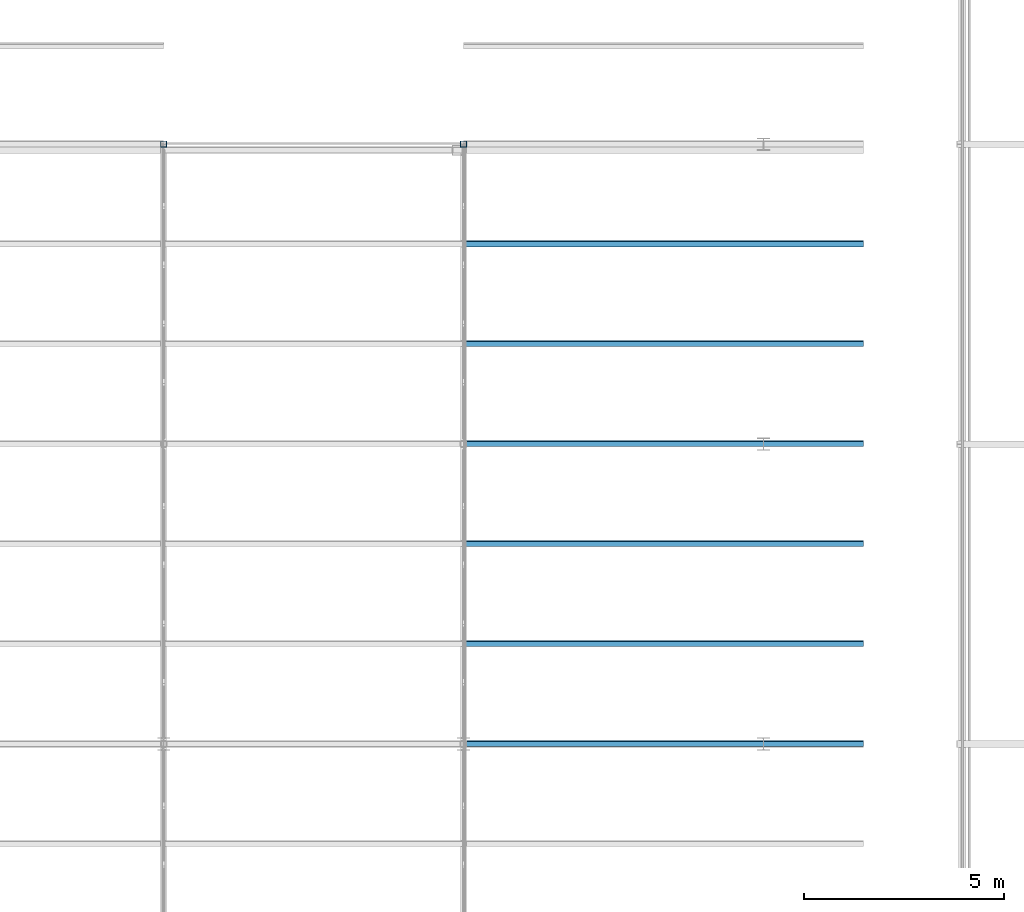
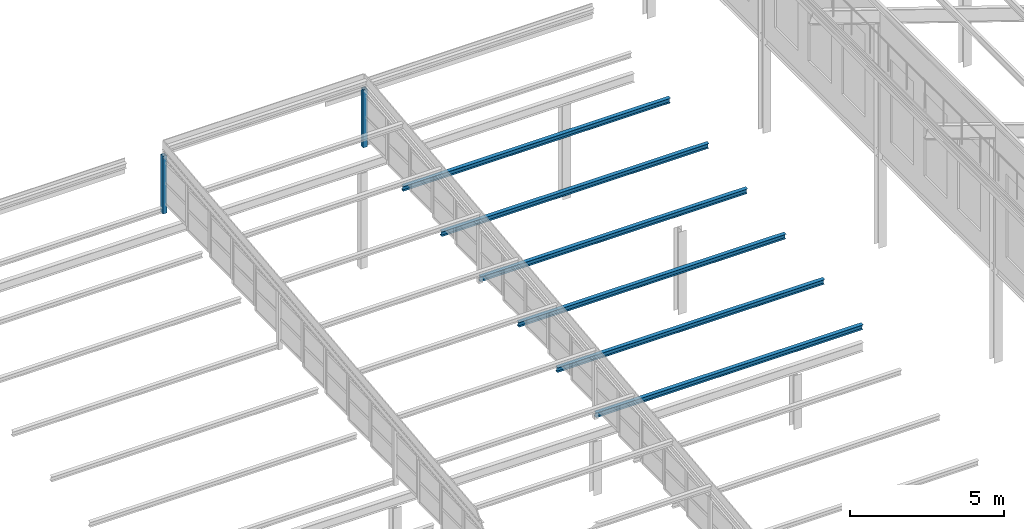
# One storey, part 65 of 483: 8 members.
"""IFC4 building model written with IfcOpenShell, lengths in metres."""

from ifc_helpers import new_model, si_unit, direction, frame, origin, origin_2d, place, context, subcontext, project, spatial, hollow_rectangle, i_section, extrude, material, material_profile, profile_set, type_object, element, save


model = new_model("IFC4")

# Units and contexts
model_context = context("Model", 3, precision=1e-05, world=origin(), true_north=direction((0.0, 1.0)))
body_context = subcontext(model_context, "Body", "Model", "MODEL_VIEW")
ifc_project = project(units=[si_unit("LENGTHUNIT", "METRE"), si_unit("AREAUNIT", "SQUARE_METRE"), si_unit("VOLUMEUNIT", "CUBIC_METRE"), si_unit("PLANEANGLEUNIT", "RADIAN"), si_unit("MASSUNIT", "GRAM", prefix="KILO")], contexts=[model_context])

# Site, building, storey
site_placement = place(None, origin())
site = spatial("IfcSite", under=ifc_project, at=site_placement, CompositionType="ELEMENT")
building_placement = place(site_placement, origin())
building = spatial("IfcBuilding", under=site, at=building_placement, Name="Parallax Yard Mobility Hub", CompositionType="ELEMENT")
storey_placement = place(building_placement, frame((0.0, 0.0, 13.199951171875)))
storey = spatial("IfcBuildingStorey", under=building, at=storey_placement, Name="L04", CompositionType="ELEMENT", Elevation=13.199951171875)

# Members
ifc_material_1 = material(Name="Steel ASTM A500 Gr C", Category="steel")
ifc_material_profile_1 = material_profile(ifc_material_1, hollow_rectangle(XDim=0.15234375, YDim=0.15234375, WallThickness=0.009521484375, at=origin_2d()), Name="HSS152x152x9.5")
ifc_profile_set_1 = profile_set([ifc_material_profile_1], Name="Steel ASTM A500 Gr C")
member_type_1 = type_object("IfcMemberType", Name="Monitor post HSS152x152x9.5", PredefinedType="POST", material=ifc_profile_set_1)
for number, where, z_axis, x_axis, name in (
    (1, (157.5, 52.5, 4.617431640625), (0.0, 0.0, 1.0), (1.0, 0.0, 0.0), "Monitor post at x 157.5 y 52.5"),
    (2, (165.0, 52.5, 4.617431640625), (0.0, 0.0, 1.0), (1.0, 0.0, 0.0), "Monitor post at x 165 y 52.5"),
):
    element("IfcMember", number, at=place(storey_placement, frame(where, z_axis=z_axis, x_axis=x_axis)), inside=storey, type_object=member_type_1, Name=name, PredefinedType="POST", context=body_context, shape_type="SweptSolid", body=[
        extrude(hollow_rectangle(XDim=0.15234375, YDim=0.15234375, WallThickness=0.009521484375, at=origin_2d()), origin(), (0.0, 0.0, 1.0), 2.295166015625),
    ])
ifc_material_2 = material(Name="Steel ASTM A992", Category="steel")
ifc_material_profile_2 = material_profile(ifc_material_2, i_section(OverallWidth=0.133056640625, OverallDepth=0.20703125, WebThickness=0.005859375, FlangeThickness=0.00830078125, at=origin_2d()), Name="W200x27")
ifc_profile_set_2 = profile_set([ifc_material_profile_2], Name="Steel ASTM A992")
member_type_2 = type_object("IfcMemberType", Name="Roof purlin W200x27", PredefinedType="PURLIN", material=ifc_profile_set_2)
for number, where, z_axis, x_axis, name in (
    (3, (165.0, 37.511474609375, 3.0859375), (1.0, 0.0, 0.0), (0.0, 0.993883718765, 0.110431669255), "Roof purlin east of the monitor at y 37.5"),
    (4, (165.0, 40.011474609375, 3.36376953125), (1.0, 0.0, 0.0), (0.0, 0.993883718765, 0.110431669255), "Roof purlin east of the monitor at y 40"),
    (5, (165.0, 42.511474609375, 3.6416015625), (1.0, 0.0, 0.0), (0.0, 0.993883718765, 0.110431669255), "Roof purlin east of the monitor at y 42.5"),
    (6, (165.0, 45.011474609375, 3.91943359375), (1.0, 0.0, 0.0), (0.0, 0.993883718765, 0.110431669255), "Roof purlin east of the monitor at y 45"),
    (7, (165.0, 47.511474609375, 4.197265625), (1.0, 0.0, 0.0), (0.0, 0.993883718765, 0.110431669255), "Roof purlin east of the monitor at y 47.5"),
    (8, (165.0, 50.011474609375, 4.474853515625), (1.0, 0.0, 0.0), (0.0, 0.993883718765, 0.110431669255), "Roof purlin east of the monitor at y 50"),
):
    element("IfcMember", number, at=place(storey_placement, frame(where, z_axis=z_axis, x_axis=x_axis)), inside=storey, type_object=member_type_2, Name=name, PredefinedType="PURLIN", context=body_context, shape_type="SweptSolid", body=[
        extrude(i_section(OverallWidth=0.133056640625, OverallDepth=0.20703125, WebThickness=0.005859375, FlangeThickness=0.00830078125, at=origin_2d()), origin(), (0.0, 0.0, 1.0), 10.0),
    ])

save(model, "model.ifc")
